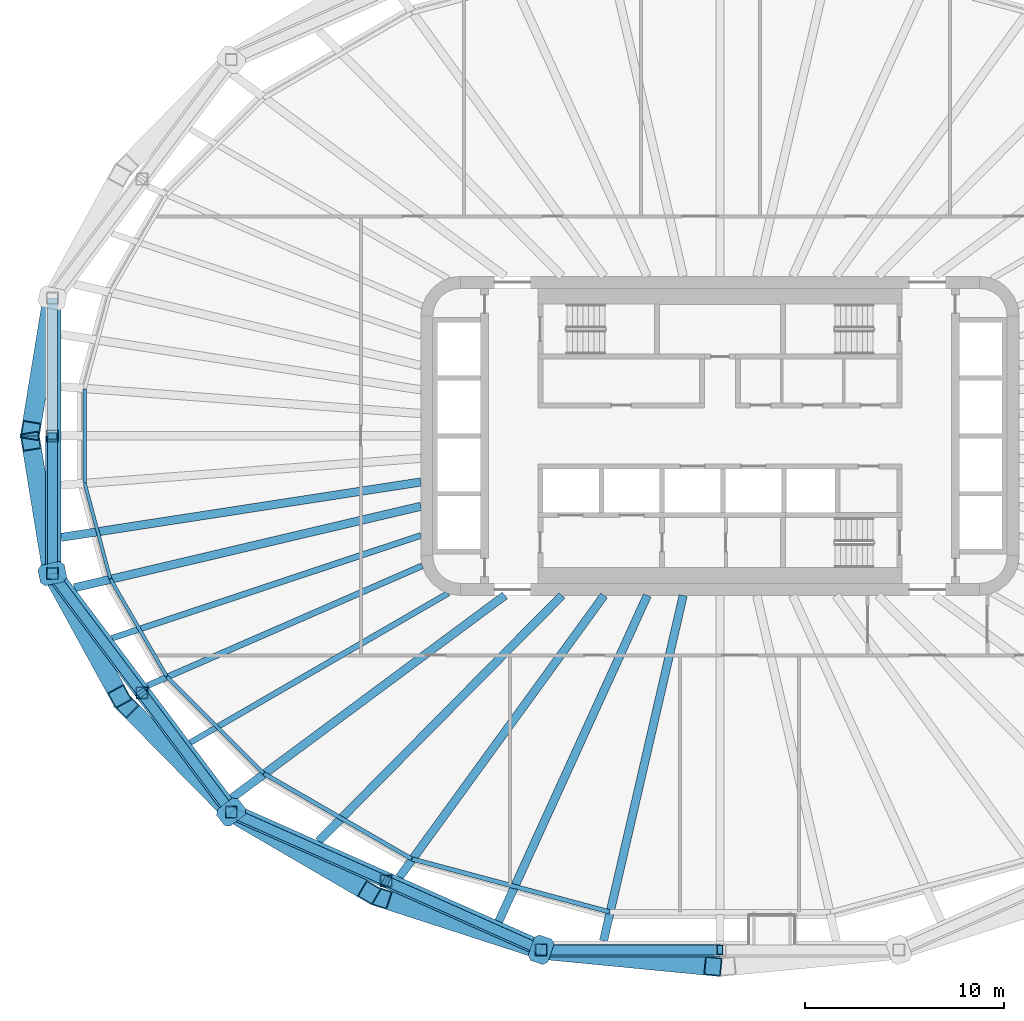
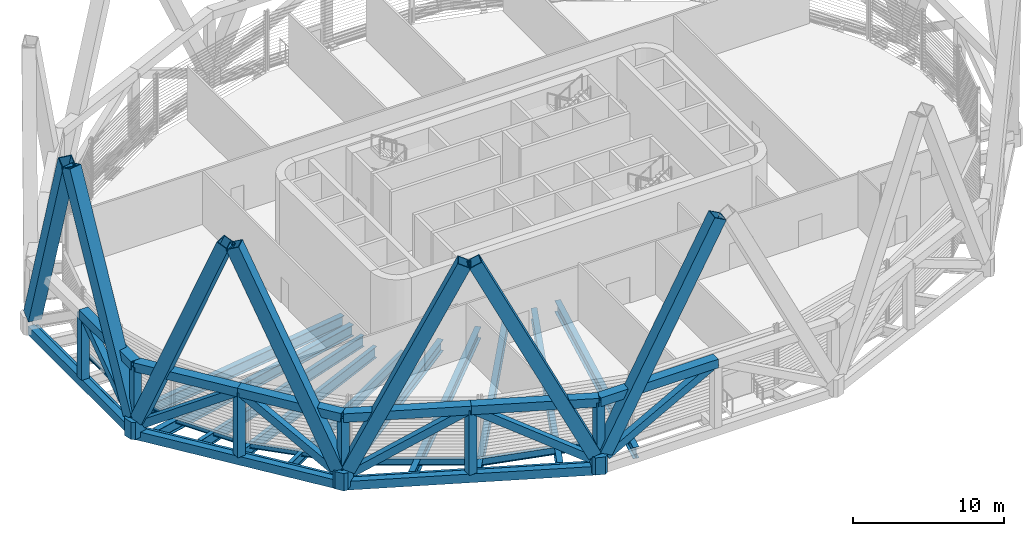
# One storey, part 1 of 18: 28 members, 22 beams.
"""IFC4 building model written with IfcOpenShell, lengths in metres."""

from ifc_helpers import new_model, si_unit, direction, frame, origin, origin_2d, place, context, subcontext, project, spatial, polyline, hollow_rectangle, i_section, outline, extrude, material, material_profile, profile_set, type_object, element, save


model = new_model("IFC4")

# Units and contexts
model_context = context("Model", 3, precision=1e-05, world=origin(), true_north=direction((0.0, 1.0)))
body_context = subcontext(model_context, "Body", "Model", "MODEL_VIEW")
ifc_project = project(units=[si_unit("LENGTHUNIT", "METRE"), si_unit("AREAUNIT", "SQUARE_METRE"), si_unit("VOLUMEUNIT", "CUBIC_METRE"), si_unit("PLANEANGLEUNIT", "RADIAN"), si_unit("MASSUNIT", "GRAM", prefix="KILO")], contexts=[model_context])

# Site, building, storey
site_placement = place(None, origin())
site = spatial("IfcSite", under=ifc_project, at=site_placement, CompositionType="ELEMENT")
building_placement = place(site_placement, origin())
building = spatial("IfcBuilding", under=site, at=building_placement, Name="Sahrelin Media Tower", CompositionType="ELEMENT")
storey_placement = place(building_placement, frame((0.0, 0.0, 96.60009765625)))
storey = spatial("IfcBuildingStorey", under=building, at=storey_placement, Name="L18", CompositionType="ELEMENT", Elevation=96.60009765625)

# Members
ifc_material_1 = material(Name="Steel S460", Category="steel")
ifc_material_profile_1 = material_profile(ifc_material_1, hollow_rectangle(XDim=0.699951171875, YDim=0.699951171875, WallThickness=0.044921875, at=origin_2d()), Name="Belt truss chord BC")
ifc_profile_set_1 = profile_set([ifc_material_profile_1], Name="Steel S460")
member_type_1 = type_object("IfcMemberType", Name="Belt truss chord BC", PredefinedType="CHORD", material=ifc_profile_set_1)
member_1_placement = place(storey_placement, frame((-33.46923828125, 0.0, 4.89990234375), z_axis=(0.0, -1.0, 0.0), x_axis=(1.0, 0.0, 0.0)))
element("IfcMember", 1, at=member_1_placement, inside=storey, type_object=member_type_1, Name="Belt truss member BT03-05-T2", PredefinedType="CHORD", context=body_context, shape_type="SweptSolid", body=[
    extrude(hollow_rectangle(XDim=0.699951171875, YDim=0.699951171875, WallThickness=0.044921875, at=origin_2d()), origin(), (0.0, 0.0, 1.0), 6.902587890625),
])
for number, where, z_axis, x_axis, name in (
    (2, (-33.46923828125, -6.902587890625, 4.89990234375), (0.600031363478, -0.799976476431, 0.0), (0.799976476431, 0.600031363478, 0.0), "Belt truss member BT03-06-T1"),
    (3, (-28.9853515625, -12.880615234375, 4.89990234375), (0.600067953481, -0.79994903038, 0.0), (0.79994903038, 0.600067953481, 0.0), "Belt truss member BT03-06-T2"),
):
    element("IfcMember", number, at=place(storey_placement, frame(where, z_axis=z_axis, x_axis=x_axis)), inside=storey, type_object=member_type_1, Name=name, PredefinedType="CHORD", context=body_context, shape_type="SweptSolid", body=[
        extrude(hollow_rectangle(XDim=0.699951171875, YDim=0.699951171875, WallThickness=0.044921875, at=origin_2d()), origin(), (0.0, 0.0, 1.0), 7.47265625),
    ])
for number, where, z_axis, x_axis, name in (
    (4, (-24.501220703125, -18.8583984375, 4.89990234375), (0.913829316363, -0.406098486276, 0.0), (0.406098486276, 0.913829316363, 0.0), "Belt truss member BT03-07-T1"),
    (5, (-16.734619140625, -22.309814453125, 4.89990234375), (0.913829316363, -0.406098486276, 0.0), (0.406098486276, 0.913829316363, 0.0), "Belt truss member BT03-07-T2"),
):
    element("IfcMember", number, at=place(storey_placement, frame(where, z_axis=z_axis, x_axis=x_axis)), inside=storey, type_object=member_type_1, Name=name, PredefinedType="CHORD", context=body_context, shape_type="SweptSolid", body=[
        extrude(hollow_rectangle(XDim=0.699951171875, YDim=0.699951171875, WallThickness=0.044921875, at=origin_2d()), origin(), (0.0, 0.0, 1.0), 8.4990234375),
    ])
member_2_placement = place(storey_placement, frame((-8.968017578125, -25.76123046875, 4.89990234375), z_axis=(1.0, 0.0, 0.0), x_axis=(0.0, 1.0, 0.0)))
element("IfcMember", 6, at=member_2_placement, inside=storey, type_object=member_type_1, Name="Belt truss member BT03-08-T1", PredefinedType="CHORD", context=body_context, shape_type="SweptSolid", body=[
    extrude(hollow_rectangle(XDim=0.699951171875, YDim=0.699951171875, WallThickness=0.044921875, at=origin_2d()), origin(), (0.0, 0.0, 1.0), 8.968017578125),
])
ifc_material_profile_2 = material_profile(ifc_material_1, hollow_rectangle(XDim=0.5, YDim=0.60009765625, WallThickness=0.030029296875, at=origin_2d()), Name="Belt truss diagonal BD")
ifc_profile_set_2 = profile_set([ifc_material_profile_2], Name="Steel S460")
member_type_2 = type_object("IfcMemberType", Name="Belt truss diagonal BD", PredefinedType="BRACE", material=ifc_profile_set_2)
member_3_placement = place(storey_placement, frame((-33.46923828125, -6.36669921875, 0.38037109375), z_axis=(0.0, 0.815432871451, 0.578851649525), x_axis=(-1.0, 0.0, 0.0)))
element("IfcMember", 7, at=member_3_placement, inside=storey, type_object=member_type_2, Name="Belt truss member BT03-05-X2", PredefinedType="BRACE", context=body_context, shape_type="SweptSolid", body=[
    extrude(hollow_rectangle(XDim=0.5, YDim=0.60009765625, WallThickness=0.030029296875, at=origin_2d()), origin(), (0.0, 0.0, 1.0), 7.807861328125),
])
member_4_placement = place(storey_placement, frame((-33.12109375, -7.366943359375, 0.38037109375), z_axis=(0.501786672946, -0.668969906837, 0.54835152831), x_axis=(0.799965993785, 0.600045338944, 0.0)))
element("IfcMember", 8, at=member_4_placement, inside=storey, type_object=member_type_2, Name="Belt truss member BT03-06-X1", PredefinedType="BRACE", context=body_context, shape_type="SweptSolid", body=[
    extrude(hollow_rectangle(XDim=0.5, YDim=0.60009765625, WallThickness=0.030029296875, at=origin_2d()), origin(), (0.0, 0.0, 1.0), 8.241943359375),
])
member_5_placement = place(storey_placement, frame((-24.81640625, -18.4384765625, 0.34423828125), z_axis=(-0.501794767351, 0.668971531901, 0.548342138602), x_axis=(-0.799962047202, -0.600050600396, 0.0)))
element("IfcMember", 9, at=member_5_placement, inside=storey, type_object=member_type_2, Name="Belt truss member BT03-06-X2", PredefinedType="BRACE", context=body_context, shape_type="SweptSolid", body=[
    extrude(hollow_rectangle(XDim=0.5, YDim=0.60009765625, WallThickness=0.030029296875, at=origin_2d()), origin(), (0.0, 0.0, 1.0), 8.30810546875),
])
member_6_placement = place(storey_placement, frame((-23.95556640625, -19.10107421875, 0.34423828125), z_axis=(0.791685975004, -0.351797977127, 0.499471220664), x_axis=(0.40607826395, 0.913838302736, 0.0)))
element("IfcMember", 10, at=member_6_placement, inside=storey, type_object=member_type_2, Name="Belt truss member BT03-07-X1", PredefinedType="BRACE", context=body_context, shape_type="SweptSolid", body=[
    extrude(hollow_rectangle(XDim=0.5, YDim=0.60009765625, WallThickness=0.030029296875, at=origin_2d()), origin(), (0.0, 0.0, 1.0), 9.12109375),
])
member_7_placement = place(storey_placement, frame((-9.449462890625, -25.54736328125, 0.3037109375), z_axis=(-0.791676830159, 0.351823942518, 0.499467426427), x_axis=(-0.406107210213, -0.913825439465, 0.0)))
element("IfcMember", 11, at=member_7_placement, inside=storey, type_object=member_type_2, Name="Belt truss member BT03-07-X2", PredefinedType="BRACE", context=body_context, shape_type="SweptSolid", body=[
    extrude(hollow_rectangle(XDim=0.5, YDim=0.60009765625, WallThickness=0.030029296875, at=origin_2d()), origin(), (0.0, 0.0, 1.0), 9.2021484375),
])
member_8_placement = place(storey_placement, frame((-8.412109375, -25.76123046875, 0.3037109375), z_axis=(0.877554684611, 0.0, 0.479476564096), x_axis=(0.0, 1.0, 0.0)))
element("IfcMember", 12, at=member_8_placement, inside=storey, type_object=member_type_2, Name="Belt truss member BT03-08-X1", PredefinedType="BRACE", context=body_context, shape_type="SweptSolid", body=[
    extrude(hollow_rectangle(XDim=0.5, YDim=0.60009765625, WallThickness=0.030029296875, at=origin_2d()), origin(), (0.0, 0.0, 1.0), 9.5859375),
])
ifc_material_profile_3 = material_profile(ifc_material_1, hollow_rectangle(XDim=0.60009765625, YDim=0.60009765625, WallThickness=0.034912109375, at=origin_2d()), Name="Belt truss post BP")
ifc_profile_set_3 = profile_set([ifc_material_profile_3], Name="Steel S460")
member_type_3 = type_object("IfcMemberType", Name="Belt truss post BP", PredefinedType="POST", material=ifc_profile_set_3)
member_9_placement = place(storey_placement, frame((-33.46923828125, 0.0, -0.320068359375), z_axis=(0.0, 0.0, 1.0), x_axis=(1.0, 0.0, 0.0)))
element("IfcMember", 13, at=member_9_placement, inside=storey, type_object=member_type_3, Name="Belt truss member BT03-05-P1", PredefinedType="POST", context=body_context, shape_type="SweptSolid", body=[
    extrude(hollow_rectangle(XDim=0.60009765625, YDim=0.60009765625, WallThickness=0.034912109375, at=origin_2d()), origin(), (0.0, 0.0, 1.0), 5.219970703125),
])
member_10_placement = place(storey_placement, frame((-33.46923828125, -6.902587890625, 0.699951171875), z_axis=(0.0, 0.0, 1.0), x_axis=(1.0, 0.0, 0.0)))
element("IfcMember", 14, at=member_10_placement, inside=storey, type_object=member_type_3, Name="Belt truss member BT03-06-P0", PredefinedType="POST", context=body_context, shape_type="SweptSolid", body=[
    extrude(hollow_rectangle(XDim=0.60009765625, YDim=0.60009765625, WallThickness=0.034912109375, at=origin_2d()), origin(), (0.0, 0.0, 1.0), 4.199951171875),
])
member_11_placement = place(storey_placement, frame((-28.9853515625, -12.880615234375, -0.320068359375), z_axis=(0.0, 0.0, 1.0), x_axis=(1.0, 0.0, 0.0)))
element("IfcMember", 15, at=member_11_placement, inside=storey, type_object=member_type_3, Name="Belt truss member BT03-06-P1", PredefinedType="POST", context=body_context, shape_type="SweptSolid", body=[
    extrude(hollow_rectangle(XDim=0.60009765625, YDim=0.60009765625, WallThickness=0.034912109375, at=origin_2d()), origin(), (0.0, 0.0, 1.0), 5.219970703125),
])
member_12_placement = place(storey_placement, frame((-24.501220703125, -18.8583984375, 0.699951171875), z_axis=(0.0, 0.0, 1.0), x_axis=(1.0, 0.0, 0.0)))
element("IfcMember", 16, at=member_12_placement, inside=storey, type_object=member_type_3, Name="Belt truss member BT03-07-P0", PredefinedType="POST", context=body_context, shape_type="SweptSolid", body=[
    extrude(hollow_rectangle(XDim=0.60009765625, YDim=0.60009765625, WallThickness=0.034912109375, at=origin_2d()), origin(), (0.0, 0.0, 1.0), 4.199951171875),
])
member_13_placement = place(storey_placement, frame((-16.734619140625, -22.309814453125, -0.320068359375), z_axis=(0.0, 0.0, 1.0), x_axis=(1.0, 0.0, 0.0)))
element("IfcMember", 17, at=member_13_placement, inside=storey, type_object=member_type_3, Name="Belt truss member BT03-07-P1", PredefinedType="POST", context=body_context, shape_type="SweptSolid", body=[
    extrude(hollow_rectangle(XDim=0.60009765625, YDim=0.60009765625, WallThickness=0.034912109375, at=origin_2d()), origin(), (0.0, 0.0, 1.0), 5.219970703125),
])
member_14_placement = place(storey_placement, frame((-8.968017578125, -25.76123046875, 0.699951171875), z_axis=(0.0, 0.0, 1.0), x_axis=(1.0, 0.0, 0.0)))
element("IfcMember", 18, at=member_14_placement, inside=storey, type_object=member_type_3, Name="Belt truss member BT03-08-P0", PredefinedType="POST", context=body_context, shape_type="SweptSolid", body=[
    extrude(hollow_rectangle(XDim=0.60009765625, YDim=0.60009765625, WallThickness=0.034912109375, at=origin_2d()), origin(), (0.0, 0.0, 1.0), 4.199951171875),
])
ifc_material_profile_4 = material_profile(ifc_material_1, hollow_rectangle(XDim=0.949951171875, YDim=0.949951171875, WallThickness=0.054931640625, at=origin_2d()), Name="Diagrid diagonal DG2")
ifc_profile_set_4 = profile_set([ifc_material_profile_4], Name="Steel S460")
member_type_4 = type_object("IfcMemberType", Name="Diagrid diagonal DG2", PredefinedType="BRACE", material=ifc_profile_set_4)
for number, where, z_axis, x_axis, name in (
    (19, (-33.512939453125, 6.63427734375, 0.699951171875), (-0.058262838687, -0.357459651471, 0.932109456662), (0.986975841171, -0.160868545541, 0.0), "Diagrid diagonal D03-11"),
    (20, (-33.512939453125, -6.63427734375, 0.699951171875), (-0.058262838687, 0.357459651471, 0.932109456662), (-0.986975841171, -0.160868545541, 0.0), "Diagrid diagonal D03-12"),
):
    element("IfcMember", number, at=place(storey_placement, frame(where, z_axis=z_axis, x_axis=x_axis)), inside=storey, type_object=member_type_4, Name=name, PredefinedType="BRACE", context=body_context, shape_type="SweptSolid", body=[
        extrude(hollow_rectangle(XDim=0.949951171875, YDim=0.949951171875, WallThickness=0.054931640625, at=origin_2d()), origin(), (0.0, 0.0, 1.0), 17.808837890625),
    ])
member_15_placement = place(storey_placement, frame((-33.332763671875, -7.152099609375, 0.699951171875), z_axis=(0.180665652257, -0.329989397727, 0.926534899225), x_axis=(0.877144222049, 0.480227043935, 0.0)))
element("IfcMember", 21, at=member_15_placement, inside=storey, type_object=member_type_4, Name="Diagrid diagonal D03-13", PredefinedType="BRACE", context=body_context, shape_type="SweptSolid", body=[
    extrude(hollow_rectangle(XDim=0.949951171875, YDim=0.949951171875, WallThickness=0.054931640625, at=origin_2d()), origin(), (0.0, 0.0, 1.0), 17.916015625),
])
member_16_placement = place(storey_placement, frame((-24.71337890625, -18.642822265625, 0.699951171875), z_axis=(-0.278358636156, 0.28275966993, 0.917912544166), x_axis=(-0.712630930764, -0.70153913399, 0.0)))
element("IfcMember", 22, at=member_16_placement, inside=storey, type_object=member_type_4, Name="Diagrid diagonal D03-14", PredefinedType="BRACE", context=body_context, shape_type="SweptSolid", body=[
    extrude(hollow_rectangle(XDim=0.949951171875, YDim=0.949951171875, WallThickness=0.054931640625, at=origin_2d()), origin(), (0.0, 0.0, 1.0), 18.08447265625),
])
member_17_placement = place(storey_placement, frame((-24.220947265625, -19.02197265625, 0.699951171875), z_axis=(0.363136743751, -0.211780836518, 0.907348104435), x_axis=(0.503784178099, 0.863829556045, 0.0)))
element("IfcMember", 23, at=member_17_placement, inside=storey, type_object=member_type_4, Name="Diagrid diagonal D03-15", PredefinedType="BRACE", context=body_context, shape_type="SweptSolid", body=[
    extrude(hollow_rectangle(XDim=0.949951171875, YDim=0.949951171875, WallThickness=0.054931640625, at=origin_2d()), origin(), (0.0, 0.0, 1.0), 18.294921875),
])
member_18_placement = place(storey_placement, frame((-9.2919921875, -25.656005859375, 0.699951171875), z_axis=(-0.416103339156, 0.134953864114, 0.899247166081), x_axis=(-0.308507655492, -0.951221859769, 0.0)))
element("IfcMember", 24, at=member_18_placement, inside=storey, type_object=member_type_4, Name="Diagrid diagonal D03-16", PredefinedType="BRACE", context=body_context, shape_type="SweptSolid", body=[
    extrude(hollow_rectangle(XDim=0.949951171875, YDim=0.949951171875, WallThickness=0.054931640625, at=origin_2d()), origin(), (0.0, 0.0, 1.0), 18.459716796875),
])
member_19_placement = place(storey_placement, frame((-8.619384765625, -25.794921875, 0.699951171875), z_axis=(0.445531291563, -0.043019626128, 0.894232173435), x_axis=(0.096111031278, 0.99537061925, 0.0)))
element("IfcMember", 25, at=member_19_placement, inside=storey, type_object=member_type_4, Name="Diagrid diagonal D03-17", PredefinedType="BRACE", context=body_context, shape_type="SweptSolid", body=[
    extrude(hollow_rectangle(XDim=0.949951171875, YDim=0.949951171875, WallThickness=0.054931640625, at=origin_2d()), origin(), (0.0, 0.0, 1.0), 18.563232421875),
])
ifc_material_profile_5 = material_profile(ifc_material_1, outline(polyline([(0.47509765625, -0.52490234375), (0.675048828125, -0.324951171875), (0.675048828125, 0.324951171875), (0.47509765625, 0.52490234375), (-0.47509765625, 0.52490234375), (-0.675048828125, 0.324951171875), (-0.675048828125, -0.324951171875), (-0.47509765625, -0.52490234375), (0.47509765625, -0.52490234375)])), Name="Diagrid node block 1350")
ifc_profile_set_5 = profile_set([ifc_material_profile_5], Name="Steel S460")
member_type_5 = type_object("IfcMemberType", Name="Diagrid node block 1350", PredefinedType="USERDEFINED", material=ifc_profile_set_5)
for number, where, z_axis, x_axis, name in (
    (26, (-33.46923828125, -6.902587890625, -0.7001953125), (0.0, 0.0, 1.0), (-0.979387770926, -0.201989094163, 0.0), "Diagrid node N03-06"),
    (27, (-24.501220703125, -18.8583984375, -0.7001953125), (0.0, 0.0, 1.0), (-0.792445093645, -0.609943254376, 0.0), "Diagrid node N03-07"),
    (28, (-8.968017578125, -25.76123046875, -0.7001953125), (0.0, 0.0, 1.0), (-0.328771046687, -0.944409656272, 0.0), "Diagrid node N03-08"),
):
    element("IfcMember", number, at=place(storey_placement, frame(where, z_axis=z_axis, x_axis=x_axis)), inside=storey, type_object=member_type_5, Name=name, ObjectType="NODE", PredefinedType="USERDEFINED", context=body_context, shape_type="SweptSolid", body=[
        extrude(outline(polyline([(0.47509765625, -0.52490234375), (0.675048828125, -0.324951171875), (0.675048828125, 0.324951171875), (0.47509765625, 0.52490234375), (-0.47509765625, 0.52490234375), (-0.675048828125, 0.324951171875), (-0.675048828125, -0.324951171875), (-0.47509765625, -0.52490234375), (0.47509765625, -0.52490234375)])), origin(), (0.0, 0.0, 1.0), 1.400146484375),
    ])

# Beams
ifc_material_profile_6 = material_profile(ifc_material_1, hollow_rectangle(XDim=0.5, YDim=0.699951171875, WallThickness=0.034912109375, at=origin_2d()), Name="Diagrid ring beam RB2")
ifc_profile_set_6 = profile_set([ifc_material_profile_6], Name="Steel S460")
beam_type_1 = type_object("IfcBeamType", Name="Diagrid ring beam RB2", PredefinedType="BEAM", material=ifc_profile_set_6)
beam_1_placement = place(storey_placement, frame((-33.46923828125, 6.902587890625, -0.650146484375), z_axis=(0.0, -1.0, 0.0), x_axis=(1.0, 0.0, 0.0)))
element("IfcBeam", 29, at=beam_1_placement, inside=storey, type_object=beam_type_1, Name="Diagrid ring beam RB03-05", PredefinedType="BEAM", context=body_context, shape_type="SweptSolid", body=[
    extrude(hollow_rectangle(XDim=0.5, YDim=0.699951171875, WallThickness=0.034912109375, at=origin_2d()), origin(), (0.0, 0.0, 1.0), 13.80517578125),
])
beam_2_placement = place(storey_placement, frame((-33.46923828125, -6.902587890625, -0.650146484375), z_axis=(0.600049658577, -0.799962753659, 0.0), x_axis=(0.799962753659, 0.600049658577, 0.0)))
element("IfcBeam", 30, at=beam_2_placement, inside=storey, type_object=beam_type_1, Name="Diagrid ring beam RB03-06", PredefinedType="BEAM", context=body_context, shape_type="SweptSolid", body=[
    extrude(hollow_rectangle(XDim=0.5, YDim=0.699951171875, WallThickness=0.034912109375, at=origin_2d()), origin(), (0.0, 0.0, 1.0), 14.945556640625),
])
beam_3_placement = place(storey_placement, frame((-24.501220703125, -18.8583984375, -0.650146484375), z_axis=(0.913829316363, -0.406098486276, 0.0), x_axis=(0.406098486276, 0.913829316363, 0.0)))
element("IfcBeam", 31, at=beam_3_placement, inside=storey, type_object=beam_type_1, Name="Diagrid ring beam RB03-07", PredefinedType="BEAM", context=body_context, shape_type="SweptSolid", body=[
    extrude(hollow_rectangle(XDim=0.5, YDim=0.699951171875, WallThickness=0.034912109375, at=origin_2d()), origin(), (0.0, 0.0, 1.0), 16.998046875),
])
ifc_material_2 = material(Name="Steel S355", Category="steel")
ifc_material_profile_7 = material_profile(ifc_material_2, i_section(OverallWidth=0.1650390625, OverallDepth=0.303466796875, WebThickness=0.006103515625, FlangeThickness=0.01025390625, FilletRadius=0.0087890625, at=origin_2d()), Name="UB 305x165x40")
ifc_profile_set_7 = profile_set([ifc_material_profile_7], Name="Steel S355")
beam_type_2 = type_object("IfcBeamType", Name="Edge beam EB2", PredefinedType="BEAM", material=ifc_profile_set_7)
beam_4_placement = place(storey_placement, frame((-30.564453125, -7.150390625, -0.451904296875), z_axis=(-0.258792983491, 0.9659328091, 0.0), x_axis=(-0.9659328091, -0.258792983491, 0.0)))
element("IfcBeam", 32, at=beam_4_placement, inside=storey, type_object=beam_type_2, Name="Edge beam L18-12", PredefinedType="BEAM", context=body_context, shape_type="SweptSolid", body=[
    extrude(i_section(OverallWidth=0.1650390625, OverallDepth=0.303466796875, WebThickness=0.006103515625, FlangeThickness=0.01025390625, FilletRadius=0.0087890625, at=origin_2d()), origin(), (0.0, 0.0, 1.0), 4.932861328125),
])
beam_5_placement = place(storey_placement, frame((-31.844970703125, -2.35693359375, -0.451904296875), z_axis=(0.0, 1.0, 0.0), x_axis=(-1.0, 0.0, 0.0)))
element("IfcBeam", 33, at=beam_5_placement, inside=storey, type_object=beam_type_2, Name="Edge beam L18-13", PredefinedType="BEAM", context=body_context, shape_type="SweptSolid", body=[
    extrude(i_section(OverallWidth=0.1650390625, OverallDepth=0.303466796875, WebThickness=0.006103515625, FlangeThickness=0.01025390625, FilletRadius=0.0087890625, at=origin_2d()), origin(), (0.0, 0.0, 1.0), 4.7138671875),
])
ifc_material_profile_8 = material_profile(ifc_material_2, i_section(OverallWidth=0.17138671875, OverallDepth=0.35498046875, WebThickness=0.00732421875, FlangeThickness=0.011474609375, FilletRadius=0.01025390625, at=origin_2d()), Name="UB 356x171x51")
ifc_profile_set_8 = profile_set([ifc_material_profile_8], Name="Steel S355")
beam_type_3 = type_object("IfcBeamType", Name="Edge beam EB3", PredefinedType="BEAM", material=ifc_profile_set_8)
beam_6_placement = place(storey_placement, frame((-27.742431640625, -12.045654296875, -0.4775390625), z_axis=(-0.5000156639, 0.866016360039, 0.0), x_axis=(-0.866016360039, -0.5000156639, 0.0)))
element("IfcBeam", 34, at=beam_6_placement, inside=storey, type_object=beam_type_3, Name="Edge beam L18-11", PredefinedType="BEAM", context=body_context, shape_type="SweptSolid", body=[
    extrude(i_section(OverallWidth=0.17138671875, OverallDepth=0.35498046875, WebThickness=0.00732421875, FlangeThickness=0.011474609375, FilletRadius=0.01025390625, at=origin_2d()), origin(), (0.0, 0.0, 1.0), 5.621826171875),
])
ifc_material_profile_9 = material_profile(ifc_material_2, i_section(OverallWidth=0.177978515625, OverallDepth=0.406494140625, WebThickness=0.0078125, FlangeThickness=0.0126953125, FilletRadius=0.01025390625, at=origin_2d()), Name="UB 406x178x60")
ifc_profile_set_9 = profile_set([ifc_material_profile_9], Name="Steel S355")
beam_type_4 = type_object("IfcBeamType", Name="Edge beam EB4", PredefinedType="BEAM", material=ifc_profile_set_9)
beam_7_placement = place(storey_placement, frame((-22.885498046875, -16.907958984375, -0.50341796875), z_axis=(-0.707106781187, 0.707106781187, 0.0), x_axis=(-0.707106781187, -0.707106781187, 0.0)))
element("IfcBeam", 35, at=beam_7_placement, inside=storey, type_object=beam_type_4, Name="Edge beam L18-10", PredefinedType="BEAM", context=body_context, shape_type="SweptSolid", body=[
    extrude(i_section(OverallWidth=0.177978515625, OverallDepth=0.406494140625, WebThickness=0.0078125, FlangeThickness=0.0126953125, FilletRadius=0.01025390625, at=origin_2d()), origin(), (0.0, 0.0, 1.0), 6.843994140625),
])
ifc_material_profile_10 = material_profile(ifc_material_2, i_section(OverallWidth=0.208740234375, OverallDepth=0.5283203125, WebThickness=0.009521484375, FlangeThickness=0.01318359375, FilletRadius=0.0126953125, at=origin_2d()), Name="UB 533x210x82")
ifc_profile_set_10 = profile_set([ifc_material_profile_10], Name="Steel S355")
beam_type_5 = type_object("IfcBeamType", Name="Edge beam EB6", PredefinedType="BEAM", material=ifc_profile_set_10)
beam_8_placement = place(storey_placement, frame((-15.46240234375, -21.197998046875, -0.564208984375), z_axis=(-0.866026195692, 0.499998628373, 0.0), x_axis=(-0.499998628373, -0.866026195692, 0.0)))
element("IfcBeam", 36, at=beam_8_placement, inside=storey, type_object=beam_type_5, Name="Edge beam L18-09", PredefinedType="BEAM", context=body_context, shape_type="SweptSolid", body=[
    extrude(i_section(OverallWidth=0.208740234375, OverallDepth=0.5283203125, WebThickness=0.009521484375, FlangeThickness=0.01318359375, FilletRadius=0.0126953125, at=origin_2d()), origin(), (0.0, 0.0, 1.0), 8.544921875),
])
ifc_material_profile_11 = material_profile(ifc_material_2, i_section(OverallWidth=0.2275390625, OverallDepth=0.6025390625, WebThickness=0.010498046875, FlangeThickness=0.014892578125, FilletRadius=0.0126953125, at=origin_2d()), Name="UB 610x229x101")
ifc_profile_set_11 = profile_set([ifc_material_profile_11], Name="Steel S355")
beam_type_6 = type_object("IfcBeamType", Name="Edge beam EB7", PredefinedType="BEAM", material=ifc_profile_set_11)
beam_9_placement = place(storey_placement, frame((-5.53369140625, -23.8623046875, -0.601318359375), z_axis=(-0.965924345533, 0.258824571297, 0.0), x_axis=(-0.258824571297, -0.965924345533, 0.0)))
element("IfcBeam", 37, at=beam_9_placement, inside=storey, type_object=beam_type_6, Name="Edge beam L18-08", PredefinedType="BEAM", context=body_context, shape_type="SweptSolid", body=[
    extrude(i_section(OverallWidth=0.2275390625, OverallDepth=0.6025390625, WebThickness=0.010498046875, FlangeThickness=0.014892578125, FilletRadius=0.0126953125, at=origin_2d()), origin(), (0.0, 0.0, 1.0), 10.25146484375),
])
ifc_material_profile_12 = material_profile(ifc_material_2, i_section(OverallWidth=0.30322265625, OverallDepth=0.903076171875, WebThickness=0.01513671875, FlangeThickness=0.020263671875, FilletRadius=0.01904296875, at=origin_2d()), Name="UB 914x305x201")
ifc_profile_set_12 = profile_set([ifc_material_profile_12], Name="Steel S355")
beam_type_7 = type_object("IfcBeamType", Name="Radial primary beam PB11", PredefinedType="BEAM", material=ifc_profile_set_12)
beam_10_placement = place(storey_placement, frame((-14.932373046875, -6.513427734375, -0.751708984375), z_axis=(-0.916592885932, -0.399821812136, 0.0), x_axis=(0.399821812136, -0.916592885932, 0.0)))
element("IfcBeam", 38, at=beam_10_placement, inside=storey, type_object=beam_type_7, Name="Radial beam L18-15", PredefinedType="BEAM", context=body_context, shape_type="SweptSolid", body=[
    extrude(i_section(OverallWidth=0.30322265625, OverallDepth=0.903076171875, WebThickness=0.01513671875, FlangeThickness=0.020263671875, FilletRadius=0.01904296875, at=origin_2d()), origin(), (0.0, 0.0, 1.0), 15.02001953125),
])
ifc_material_profile_13 = material_profile(ifc_material_2, i_section(OverallWidth=0.41845703125, OverallDepth=0.911865234375, WebThickness=0.019287109375, FlangeThickness=0.031982421875, FilletRadius=0.024169921875, at=origin_2d()), Name="UB 914x419x343")
ifc_profile_set_13 = profile_set([ifc_material_profile_13], Name="Steel S355")
beam_type_8 = type_object("IfcBeamType", Name="Radial primary beam PB12", PredefinedType="BEAM", material=ifc_profile_set_13)
beam_11_placement = place(storey_placement, frame((-15.0, -3.52880859375, -0.756103515625), z_axis=(-0.973427211661, -0.228996645387, 0.0), x_axis=(0.228996645387, -0.973427211661, 0.0)))
element("IfcBeam", 39, at=beam_11_placement, inside=storey, type_object=beam_type_8, Name="Radial beam L18-14", PredefinedType="BEAM", context=body_context, shape_type="SweptSolid", body=[
    extrude(i_section(OverallWidth=0.41845703125, OverallDepth=0.911865234375, WebThickness=0.019287109375, FlangeThickness=0.031982421875, FilletRadius=0.024169921875, at=origin_2d()), origin(), (0.0, 0.0, 1.0), 17.851318359375),
])
beam_12_placement = place(storey_placement, frame((-10.78369140625, -8.0, -0.756103515625), z_axis=(-0.803136278575, -0.595795365907, 0.0), x_axis=(0.595795365907, -0.803136278575, 0.0)))
element("IfcBeam", 40, at=beam_12_placement, inside=storey, type_object=beam_type_8, Name="Radial beam L18-16", PredefinedType="BEAM", context=body_context, shape_type="SweptSolid", body=[
    extrude(i_section(OverallWidth=0.41845703125, OverallDepth=0.911865234375, WebThickness=0.019287109375, FlangeThickness=0.031982421875, FilletRadius=0.024169921875, at=origin_2d()), origin(), (0.0, 0.0, 1.0), 17.044189453125),
])
beam_13_placement = place(storey_placement, frame((-5.812255859375, -8.0, -0.756103515625), z_axis=(-0.587771505131, -0.809026982094, 0.0), x_axis=(0.809026982094, -0.587771505131, 0.0)))
element("IfcBeam", 41, at=beam_13_placement, inside=storey, type_object=beam_type_8, Name="Radial beam L18-17", PredefinedType="BEAM", context=body_context, shape_type="SweptSolid", body=[
    extrude(i_section(OverallWidth=0.41845703125, OverallDepth=0.911865234375, WebThickness=0.019287109375, FlangeThickness=0.031982421875, FilletRadius=0.024169921875, at=origin_2d()), origin(), (0.0, 0.0, 1.0), 17.45068359375),
])
beam_14_placement = place(storey_placement, frame((-1.84521484375, -8.0, -0.756103515625), z_axis=(-0.224748130756, -0.974416891131, 0.0), x_axis=(0.974416891131, -0.224748130756, 0.0)))
element("IfcBeam", 42, at=beam_14_placement, inside=storey, type_object=beam_type_8, Name="Radial beam L18-18", PredefinedType="BEAM", context=body_context, shape_type="SweptSolid", body=[
    extrude(i_section(OverallWidth=0.41845703125, OverallDepth=0.911865234375, WebThickness=0.019287109375, FlangeThickness=0.031982421875, FilletRadius=0.024169921875, at=origin_2d()), origin(), (0.0, 0.0, 1.0), 17.7705078125),
])
ifc_material_profile_14 = material_profile(ifc_material_2, i_section(OverallWidth=0.291748046875, OverallDepth=0.8349609375, WebThickness=0.013916015625, FlangeThickness=0.018798828125, FilletRadius=0.017822265625, at=origin_2d()), Name="UB 838x292x176")
ifc_profile_set_14 = profile_set([ifc_material_profile_14], Name="Steel S355")
beam_type_9 = type_object("IfcBeamType", Name="Radial secondary beam SB10", PredefinedType="BEAM", material=ifc_profile_set_14)
beam_15_placement = place(storey_placement, frame((-13.624267578125, -7.8876953125, -0.717529296875), z_axis=(-0.865434487743, -0.501022102731, 0.0), x_axis=(0.501022102731, -0.865434487743, 0.0)))
element("IfcBeam", 43, at=beam_15_placement, inside=storey, type_object=beam_type_9, Name="Secondary beam L18-15", PredefinedType="BEAM", context=body_context, shape_type="SweptSolid", body=[
    extrude(i_section(OverallWidth=0.291748046875, OverallDepth=0.8349609375, WebThickness=0.013916015625, FlangeThickness=0.018798828125, FilletRadius=0.017822265625, at=origin_2d()), origin(), (0.0, 0.0, 1.0), 14.944091796875),
])
ifc_material_profile_15 = material_profile(ifc_material_2, i_section(OverallWidth=0.30322265625, OverallDepth=0.903076171875, WebThickness=0.01513671875, FlangeThickness=0.020263671875, FilletRadius=0.01904296875, at=origin_2d()), Name="UB 914x305x201")
ifc_profile_set_15 = profile_set([ifc_material_profile_15], Name="Steel S355")
beam_type_10 = type_object("IfcBeamType", Name="Radial secondary beam SB11", PredefinedType="BEAM", material=ifc_profile_set_15)
beam_16_placement = place(storey_placement, frame((-15.0, -4.990478515625, -0.751708984375), z_axis=(-0.948859701719, -0.315698062163, 0.0), x_axis=(0.315698062163, -0.948859701719, 0.0)))
element("IfcBeam", 44, at=beam_16_placement, inside=storey, type_object=beam_type_10, Name="Secondary beam L18-14", PredefinedType="BEAM", context=body_context, shape_type="SweptSolid", body=[
    extrude(i_section(OverallWidth=0.30322265625, OverallDepth=0.903076171875, WebThickness=0.01513671875, FlangeThickness=0.020263671875, FilletRadius=0.01904296875, at=origin_2d()), origin(), (0.0, 0.0, 1.0), 16.3173828125),
])
ifc_material_profile_16 = material_profile(ifc_material_2, i_section(OverallWidth=0.41845703125, OverallDepth=0.911865234375, WebThickness=0.019287109375, FlangeThickness=0.031982421875, FilletRadius=0.024169921875, at=origin_2d()), Name="UB 914x419x343")
ifc_profile_set_16 = profile_set([ifc_material_profile_16], Name="Steel S355")
beam_type_11 = type_object("IfcBeamType", Name="Radial secondary beam SB12", PredefinedType="BEAM", material=ifc_profile_set_16)
beam_17_placement = place(storey_placement, frame((-15.0, -2.310302734375, -0.756103515625), z_axis=(-0.988345217227, -0.152229207394, 0.0), x_axis=(0.152229207394, -0.988345217227, 0.0)))
element("IfcBeam", 45, at=beam_17_placement, inside=storey, type_object=beam_type_11, Name="Secondary beam L18-13", PredefinedType="BEAM", context=body_context, shape_type="SweptSolid", body=[
    extrude(i_section(OverallWidth=0.41845703125, OverallDepth=0.911865234375, WebThickness=0.019287109375, FlangeThickness=0.031982421875, FilletRadius=0.024169921875, at=origin_2d()), origin(), (0.0, 0.0, 1.0), 18.236572265625),
])
beam_18_placement = place(storey_placement, frame((-7.920654296875, -8.0, -0.756103515625), z_axis=(-0.703577242699, -0.710618789194, 0.0), x_axis=(0.710618789194, -0.703577242699, 0.0)))
element("IfcBeam", 46, at=beam_18_placement, inside=storey, type_object=beam_type_11, Name="Secondary beam L18-16", PredefinedType="BEAM", context=body_context, shape_type="SweptSolid", body=[
    extrude(i_section(OverallWidth=0.41845703125, OverallDepth=0.911865234375, WebThickness=0.019287109375, FlangeThickness=0.031982421875, FilletRadius=0.024169921875, at=origin_2d()), origin(), (0.0, 0.0, 1.0), 17.335693359375),
])
beam_19_placement = place(storey_placement, frame((-3.644775390625, -8.0, -0.756103515625), z_axis=(-0.414596028324, -0.910005567729, 0.0), x_axis=(0.910005567729, -0.414596028324, 0.0)))
element("IfcBeam", 47, at=beam_19_placement, inside=storey, type_object=beam_type_11, Name="Secondary beam L18-17", PredefinedType="BEAM", context=body_context, shape_type="SweptSolid", body=[
    extrude(i_section(OverallWidth=0.41845703125, OverallDepth=0.911865234375, WebThickness=0.019287109375, FlangeThickness=0.031982421875, FilletRadius=0.024169921875, at=origin_2d()), origin(), (0.0, 0.0, 1.0), 17.947998046875),
])
ifc_material_profile_17 = material_profile(ifc_material_2, i_section(OverallWidth=0.1904296875, OverallDepth=0.45703125, WebThickness=0.009033203125, FlangeThickness=0.014404296875, FilletRadius=0.01025390625, at=origin_2d()), Name="UB 457x191x74")
ifc_profile_set_17 = profile_set([ifc_material_profile_17], Name="Steel S355")
beam_type_12 = type_object("IfcBeamType", Name="Tie chord TC5", PredefinedType="BEAM", material=ifc_profile_set_17)
beam_20_placement = place(storey_placement, frame((-8.893798828125, -25.410888671875, -0.528564453125), z_axis=(-0.913831883467, 0.406092709563, 0.0), x_axis=(-0.406092709563, -0.913831883467, 0.0)))
element("IfcBeam", 48, at=beam_20_placement, inside=storey, type_object=beam_type_12, Name="Tie chord L18-05", PredefinedType="BEAM", context=body_context, shape_type="SweptSolid", body=[
    extrude(i_section(OverallWidth=0.1904296875, OverallDepth=0.45703125, WebThickness=0.009033203125, FlangeThickness=0.014404296875, FilletRadius=0.01025390625, at=origin_2d()), origin(), (0.0, 0.0, 1.0), 16.832275390625),
])
beam_21_placement = place(storey_placement, frame((-24.275634765625, -18.575439453125, -0.528564453125), z_axis=(-0.600058309569, 0.799956264503, 0.0), x_axis=(-0.799956264503, -0.600058309569, 0.0)))
element("IfcBeam", 49, at=beam_21_placement, inside=storey, type_object=beam_type_12, Name="Tie chord L18-06", PredefinedType="BEAM", context=body_context, shape_type="SweptSolid", body=[
    extrude(i_section(OverallWidth=0.1904296875, OverallDepth=0.45703125, WebThickness=0.009033203125, FlangeThickness=0.014404296875, FilletRadius=0.01025390625, at=origin_2d()), origin(), (0.0, 0.0, 1.0), 14.73779296875),
])
beam_22_placement = place(storey_placement, frame((-33.119140625, -6.785888671875, -0.528564453125), z_axis=(0.0, 1.0, 0.0), x_axis=(-1.0, 0.0, 0.0)))
element("IfcBeam", 50, at=beam_22_placement, inside=storey, type_object=beam_type_12, Name="Tie chord L18-07", PredefinedType="BEAM", context=body_context, shape_type="SweptSolid", body=[
    extrude(i_section(OverallWidth=0.1904296875, OverallDepth=0.45703125, WebThickness=0.009033203125, FlangeThickness=0.014404296875, FilletRadius=0.01025390625, at=origin_2d()), origin(), (0.0, 0.0, 1.0), 13.57177734375),
])

save(model, "model.ifc")
